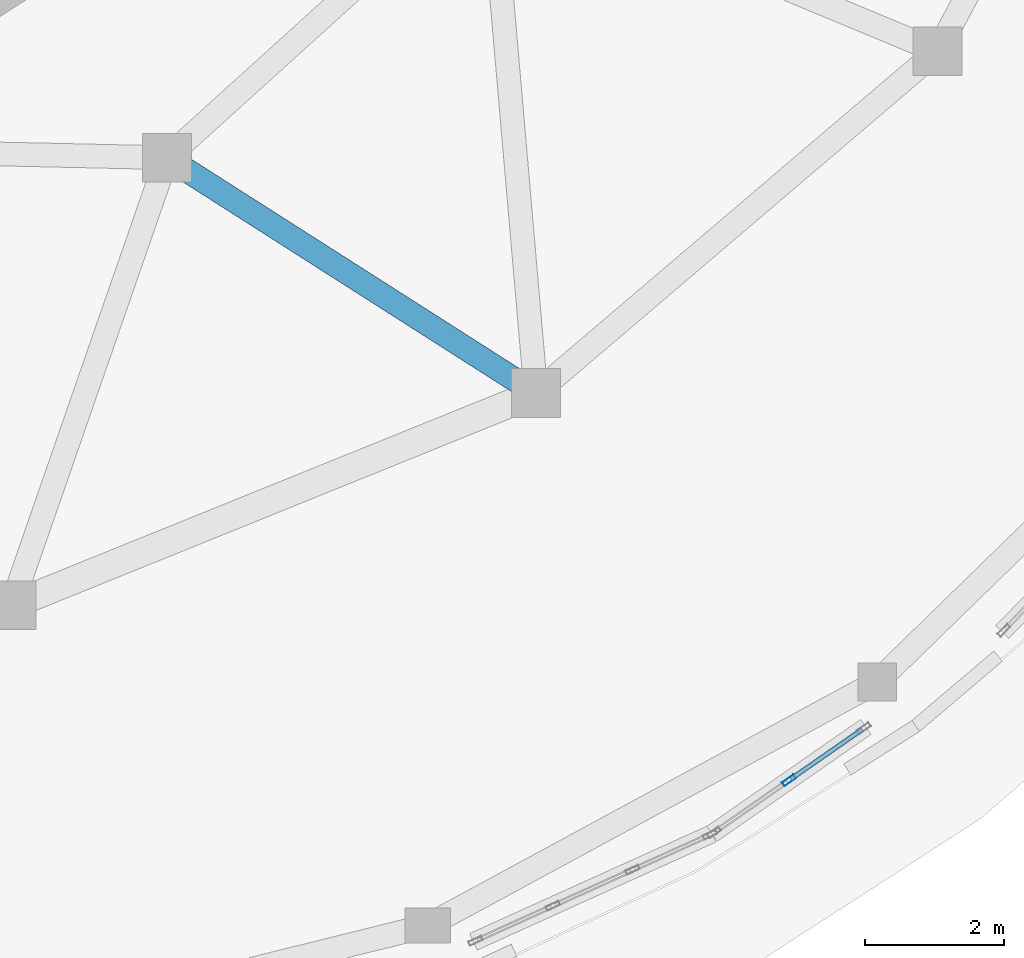
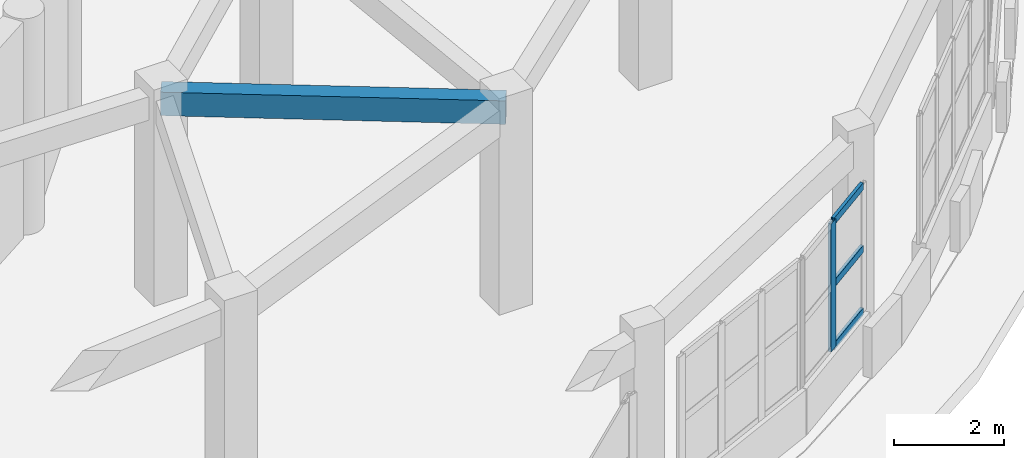
# One storey, part 40 of 98: 4 members, 1 beam, 1 element without a shape of its own.
"""IFC4 building model written with IfcOpenShell, lengths in metres."""

from ifc_helpers import new_model, si_unit, direction, frame, origin, origin_2d, place, context, subcontext, project, spatial, rectangle, hollow_rectangle, extrude, material, layer, layer_set, material_profile, profile_set, type_object, element, aggregate, save


model = new_model("IFC4")

# Units and contexts
model_context = context("Model", 3, precision=1e-05, world=origin(), true_north=direction((0.0, 1.0)))
body_context = subcontext(model_context, "Body", "Model", "MODEL_VIEW")
ifc_project = project(units=[si_unit("LENGTHUNIT", "METRE"), si_unit("AREAUNIT", "SQUARE_METRE"), si_unit("VOLUMEUNIT", "CUBIC_METRE"), si_unit("PLANEANGLEUNIT", "RADIAN"), si_unit("MASSUNIT", "GRAM", prefix="KILO")], contexts=[model_context])

# Site, building, storey
site_placement = place(None, origin())
site = spatial("IfcSite", under=ifc_project, at=site_placement, CompositionType="ELEMENT")
building_placement = place(site_placement, origin())
building = spatial("IfcBuilding", under=site, at=building_placement, Name="Pelvatis Terrace Science Centre", CompositionType="ELEMENT")
storey_placement = place(building_placement, frame((0.0, 0.0, 5.39990234375)))
storey = spatial("IfcBuildingStorey", under=building, at=storey_placement, Name="L01", CompositionType="ELEMENT", Elevation=5.39990234375)

# Beam
ifc_material_1 = material(Name="Concrete C35/45", Category="concrete")
ifc_material_profile_1 = material_profile(ifc_material_1, rectangle(XDim=0.340087890625, YDim=0.52001953125, at=origin_2d()), Name="RC-BM 340x520")
ifc_profile_set_1 = profile_set([ifc_material_profile_1], Name="Concrete C35/45")
beam_type = type_object("IfcBeamType", Name="BM-RC-340x520", PredefinedType="BEAM", material=ifc_profile_set_1)
beam_placement = place(storey_placement, frame((123.82421875, 69.786376953125, 4.280029296875), z_axis=(-0.843044192258, 0.537844298937, 0.0), x_axis=(-0.537844298937, -0.843044192258, 0.0)))
element("IfcBeam", 1, at=beam_placement, inside=storey, type_object=beam_type, Name="Beam BM-L01-2647", PredefinedType="BEAM", context=body_context, shape_type="SweptSolid", body=[
    extrude(rectangle(XDim=0.340087890625, YDim=0.52001953125, at=origin_2d()), origin(), (0.0, 0.0, 1.0), 6.275390625),
])

# Curtain wall, members
ifc_material_2 = material(Name="Bronze-anodised aluminium and laminated glass", Category="aluminium")
ifc_layer = layer(ifc_material_2, 0.199951171875)
ifc_layer_set = layer_set([ifc_layer], Name="Bronze-anodised aluminium and laminated glass")
curtain_wall_type = type_object("IfcCurtainWallType", Name="CW-RIBBON-B", PredefinedType="NOTDEFINED", material=ifc_layer_set)
curtain_wall_placement = place(storey_placement, origin())
curtain_wall = element("IfcCurtainWall", 2, at=curtain_wall_placement, inside=storey, type_object=curtain_wall_type, Name="Ribbon curtain wall CW-150 (L01)", PredefinedType="NOTDEFINED")
ifc_material_3 = material(Name="Bronze-anodised aluminium 6063-T6", Category="aluminium")
ifc_material_profile_2 = material_profile(ifc_material_3, hollow_rectangle(XDim=0.06494140625, YDim=0.199951171875, WallThickness=0.00439453125, at=origin_2d()), Name="ALU-MUL 65x200")
ifc_profile_set_2 = profile_set([ifc_material_profile_2], Name="Bronze-anodised aluminium 6063-T6")
member_type_1 = type_object("IfcMemberType", Name="CWM-65x200", PredefinedType="MULLION", material=ifc_profile_set_2)
member_1_placement = place(storey_placement, frame((127.452392578125, 64.234375, 1.02001953125), z_axis=(0.0, 0.0, 1.0), x_axis=(-0.570774124672, 0.821107117619, 0.0)))
member_1 = element("IfcMember", 3, at=member_1_placement, type_object=member_type_1, Name="CW-150 mullion 2", PredefinedType="MULLION", context=body_context, shape_type="SweptSolid", body=[
    extrude(hollow_rectangle(XDim=0.06494140625, YDim=0.199951171875, WallThickness=0.00439453125, at=origin_2d()), origin(), (0.0, 0.0, 1.0), 2.840087890625),
])
ifc_material_4 = material(Name="Bronze-anodised aluminium 6063-T6", Category="aluminium")
ifc_material_profile_3 = material_profile(ifc_material_4, hollow_rectangle(XDim=0.06494140625, YDim=0.159912109375, WallThickness=0.00390625, at=origin_2d()), Name="ALU-TRN 65x160")
ifc_profile_set_3 = profile_set([ifc_material_profile_3], Name="Bronze-anodised aluminium 6063-T6")
member_type_2 = type_object("IfcMemberType", Name="CWT-65x160", PredefinedType="USERDEFINED", material=ifc_profile_set_3)
member_2_placement = place(storey_placement, frame((127.479248046875, 64.2529296875, 1.052490234375), z_axis=(0.821089066616, 0.570800091699, 0.0), x_axis=(-0.570800091699, 0.821089066616, 0.0)))
member_2 = element("IfcMember", 4, at=member_2_placement, type_object=member_type_2, Name="CW-150 transom 2.1", ObjectType="TRANSOM", PredefinedType="USERDEFINED", context=body_context, shape_type="SweptSolid", body=[
    extrude(hollow_rectangle(XDim=0.06494140625, YDim=0.159912109375, WallThickness=0.00390625, at=origin_2d()), origin(), (0.0, 0.0, 1.0), 1.24462890625),
])
member_3_placement = place(storey_placement, frame((127.479248046875, 64.2529296875, 2.440185546875), z_axis=(0.821089066616, 0.570800091699, 0.0), x_axis=(-0.570800091699, 0.821089066616, 0.0)))
member_3 = element("IfcMember", 5, at=member_3_placement, type_object=member_type_2, Name="CW-150 transom 2.2", ObjectType="TRANSOM", PredefinedType="USERDEFINED", context=body_context, shape_type="SweptSolid", body=[
    extrude(hollow_rectangle(XDim=0.06494140625, YDim=0.159912109375, WallThickness=0.00390625, at=origin_2d()), origin(), (0.0, 0.0, 1.0), 1.24462890625),
])
member_4_placement = place(storey_placement, frame((127.479248046875, 64.2529296875, 3.82763671875), z_axis=(0.821089066616, 0.570800091699, 0.0), x_axis=(-0.570800091699, 0.821089066616, 0.0)))
member_4 = element("IfcMember", 6, at=member_4_placement, type_object=member_type_2, Name="CW-150 transom 2.3", ObjectType="TRANSOM", PredefinedType="USERDEFINED", context=body_context, shape_type="SweptSolid", body=[
    extrude(hollow_rectangle(XDim=0.06494140625, YDim=0.159912109375, WallThickness=0.00390625, at=origin_2d()), origin(), (0.0, 0.0, 1.0), 1.24462890625),
])
aggregate(curtain_wall, [member_1, member_2, member_3, member_4])

save(model, "model.ifc")
